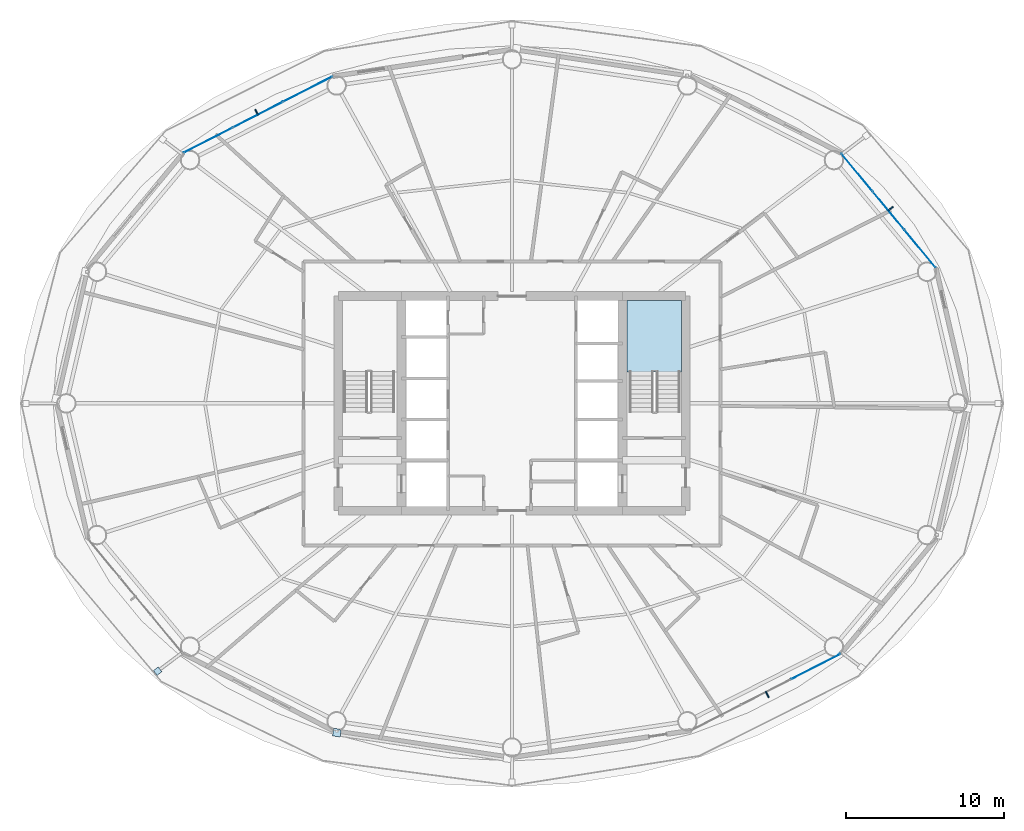
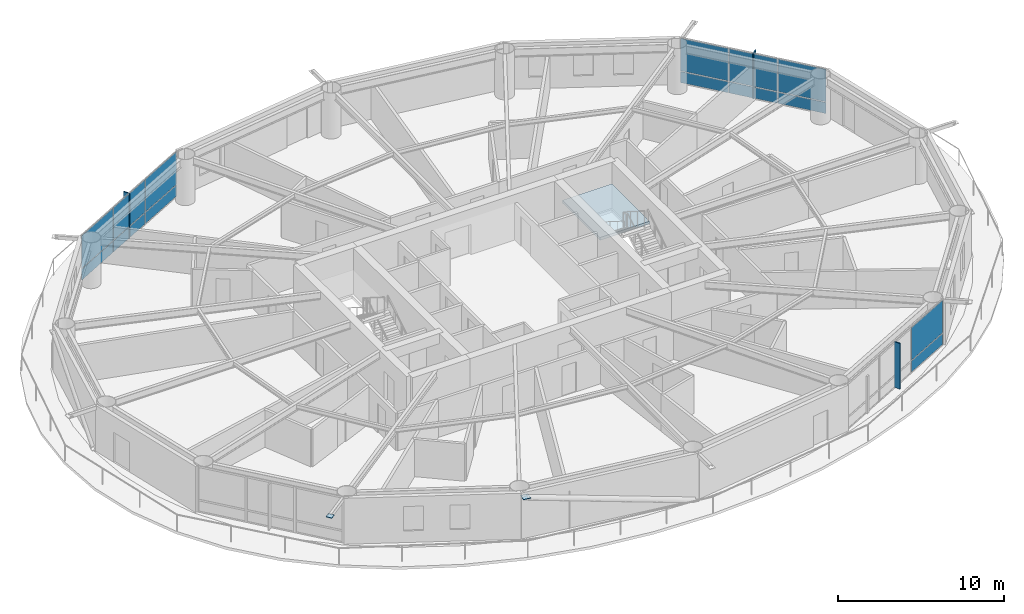
# One storey, part 16 of 24: 19 plates, 1 slab, 4 elements without a shape of their own.
"""IFC4 building model written with IfcOpenShell, lengths in metres."""

from ifc_helpers import new_model, si_unit, direction, frame, origin, origin_2d, place, context, subcontext, project, spatial, polyline, rectangle, outline, extrude, material, layer, layer_set, type_object, element, aggregate, save


model = new_model("IFC4")

# Units and contexts
model_context = context("Model", 3, precision=1e-05, world=origin(), true_north=direction((0.0, 1.0)))
body_context = subcontext(model_context, "Body", "Model", "MODEL_VIEW")
ifc_project = project(units=[si_unit("LENGTHUNIT", "METRE"), si_unit("AREAUNIT", "SQUARE_METRE"), si_unit("VOLUMEUNIT", "CUBIC_METRE"), si_unit("PLANEANGLEUNIT", "RADIAN"), si_unit("MASSUNIT", "GRAM", prefix="KILO")], contexts=[model_context])

# Site, building, storey
site_placement = place(None, origin())
site = spatial("IfcSite", under=ifc_project, at=site_placement, CompositionType="ELEMENT")
building_placement = place(site_placement, origin())
building = spatial("IfcBuilding", under=site, at=building_placement, Name="Sarneth Arch Tower", CompositionType="ELEMENT")
storey_placement = place(building_placement, frame((0.0, 0.0, 109.199951171875)))
storey = spatial("IfcBuildingStorey", under=building, at=storey_placement, Name="L27", CompositionType="ELEMENT", Elevation=109.199951171875)

# Curtain wall, plates
ifc_material_1 = material(Name="Anodised aluminium Type AA25 and solar-control low-e laminated IGU", Category="aluminium")
ifc_layer_1 = layer(ifc_material_1, 0.159912109375)
ifc_layer_set_1 = layer_set([ifc_layer_1], Name="Anodised aluminium Type AA25 and solar-control low-e laminated IGU")
curtain_wall_type = type_object("IfcCurtainWallType", Name="CW-HOTEL-MID", PredefinedType="NOTDEFINED", material=ifc_layer_set_1)
curtain_wall_1_placement = place(storey_placement, origin())
curtain_wall_1 = element("IfcCurtainWall", 1, at=curtain_wall_1_placement, inside=storey, type_object=curtain_wall_type, Name="L27 Unitised curtain wall facet 02", PredefinedType="NOTDEFINED")
ifc_material_2 = material(Name="Solar-control low-e laminated IGU", Category="glass")
ifc_layer_2 = layer(ifc_material_2, 0.028076171875)
ifc_layer_set_2 = layer_set([ifc_layer_2], Name="Solar-control low-e laminated IGU")
plate_type_1 = type_object("IfcPlateType", Name="CW-PANEL", PredefinedType="CURTAIN_PANEL", material=ifc_layer_set_2)
plate_1_placement = place(storey_placement, frame((73.84814453125, 51.807861328125, 0.06005859375), z_axis=(0.0, 0.0, 1.0), x_axis=(-0.637515188684, 0.770437787363, 0.0)))
plate_1 = element("IfcPlate", 2, at=plate_1_placement, type_object=plate_type_1, Name="Curtain wall glazed vision pane CW-L27-F02/P00-00", PredefinedType="CURTAIN_PANEL", context=body_context, shape_type="SweptSolid", body=[
    extrude(rectangle(XDim=3.058349609375, YDim=0.028076171875, at=origin_2d()), origin(), (0.0, 0.0, 1.0), 0.81005859375),
])
plate_2_placement = place(storey_placement, frame((73.84814453125, 51.807861328125, 0.93017578125), z_axis=(0.0, 0.0, 1.0), x_axis=(-0.637515188684, 0.770437787363, 0.0)))
plate_2 = element("IfcPlate", 3, at=plate_2_placement, type_object=plate_type_1, Name="Curtain wall glazed vision pane CW-L27-F02/P00-01", PredefinedType="CURTAIN_PANEL", context=body_context, shape_type="SweptSolid", body=[
    extrude(rectangle(XDim=3.058349609375, YDim=0.028076171875, at=origin_2d()), origin(), (0.0, 0.0, 1.0), 2.389892578125),
])
plate_3_placement = place(storey_placement, frame((71.8505859375, 54.221923828125, 0.06005859375), z_axis=(0.0, 0.0, 1.0), x_axis=(-0.637515188684, 0.770437787363, 0.0)))
plate_3 = element("IfcPlate", 4, at=plate_3_placement, type_object=plate_type_1, Name="Curtain wall glazed vision pane CW-L27-F02/P01-00", PredefinedType="CURTAIN_PANEL", context=body_context, shape_type="SweptSolid", body=[
    extrude(rectangle(XDim=3.08837890625, YDim=0.028076171875, at=origin_2d()), origin(), (0.0, 0.0, 1.0), 0.81005859375),
])
plate_4_placement = place(storey_placement, frame((71.8505859375, 54.221923828125, 0.93017578125), z_axis=(0.0, 0.0, 1.0), x_axis=(-0.637515188684, 0.770437787363, 0.0)))
plate_4 = element("IfcPlate", 5, at=plate_4_placement, type_object=plate_type_1, Name="Curtain wall glazed vision pane CW-L27-F02/P01-01", PredefinedType="CURTAIN_PANEL", context=body_context, shape_type="SweptSolid", body=[
    extrude(rectangle(XDim=3.08837890625, YDim=0.028076171875, at=origin_2d()), origin(), (0.0, 0.0, 1.0), 2.389892578125),
])
plate_5_placement = place(storey_placement, frame((69.85302734375, 56.635986328125, 0.06005859375), z_axis=(0.0, 0.0, 1.0), x_axis=(-0.637515188684, 0.770437787363, 0.0)))
plate_5 = element("IfcPlate", 6, at=plate_5_placement, type_object=plate_type_1, Name="Curtain wall glazed vision pane CW-L27-F02/P02-00", PredefinedType="CURTAIN_PANEL", context=body_context, shape_type="SweptSolid", body=[
    extrude(rectangle(XDim=3.058349609375, YDim=0.028076171875, at=origin_2d()), origin(), (0.0, 0.0, 1.0), 0.81005859375),
])
plate_6_placement = place(storey_placement, frame((69.85302734375, 56.635986328125, 0.93017578125), z_axis=(0.0, 0.0, 1.0), x_axis=(-0.637515188684, 0.770437787363, 0.0)))
plate_6 = element("IfcPlate", 7, at=plate_6_placement, type_object=plate_type_1, Name="Curtain wall glazed vision pane CW-L27-F02/P02-01", PredefinedType="CURTAIN_PANEL", context=body_context, shape_type="SweptSolid", body=[
    extrude(rectangle(XDim=3.058349609375, YDim=0.028076171875, at=origin_2d()), origin(), (0.0, 0.0, 1.0), 2.389892578125),
])
aggregate(curtain_wall_1, [plate_1, plate_2, plate_3, plate_4, plate_5, plate_6])

curtain_wall_2_placement = place(storey_placement, origin())
curtain_wall_2 = element("IfcCurtainWall", 8, at=curtain_wall_2_placement, inside=storey, type_object=curtain_wall_type, Name="L27 Unitised curtain wall facet 06", PredefinedType="NOTDEFINED")
plate_7_placement = place(storey_placement, frame((35.053955078125, 61.905517578125, 0.06005859375), z_axis=(0.0, 0.0, 1.0), x_axis=(-0.889963703649, -0.456031365356, 0.0)))
plate_7 = element("IfcPlate", 9, at=plate_7_placement, type_object=plate_type_1, Name="Curtain wall glazed vision pane CW-L27-F06/P00-00", PredefinedType="CURTAIN_PANEL", context=body_context, shape_type="SweptSolid", body=[
    extrude(rectangle(XDim=3.464111328125, YDim=0.028076171875, at=origin_2d()), origin(), (0.0, 0.0, 1.0), 0.81005859375),
])
plate_8_placement = place(storey_placement, frame((35.053955078125, 61.905517578125, 0.93017578125), z_axis=(0.0, 0.0, 1.0), x_axis=(-0.889963703649, -0.456031365356, 0.0)))
plate_8 = element("IfcPlate", 10, at=plate_8_placement, type_object=plate_type_1, Name="Curtain wall glazed vision pane CW-L27-F06/P00-01", PredefinedType="CURTAIN_PANEL", context=body_context, shape_type="SweptSolid", body=[
    extrude(rectangle(XDim=3.464111328125, YDim=0.028076171875, at=origin_2d()), origin(), (0.0, 0.0, 1.0), 2.389892578125),
])
plate_9_placement = place(storey_placement, frame((31.904296875, 60.29150390625, 0.06005859375), z_axis=(0.0, 0.0, 1.0), x_axis=(-0.889963703649, -0.456031365356, 0.0)))
plate_9 = element("IfcPlate", 11, at=plate_9_placement, type_object=plate_type_1, Name="Curtain wall glazed vision pane CW-L27-F06/P01-00", PredefinedType="CURTAIN_PANEL", context=body_context, shape_type="SweptSolid", body=[
    extrude(rectangle(XDim=3.493896484375, YDim=0.028076171875, at=origin_2d()), origin(), (0.0, 0.0, 1.0), 0.81005859375),
])
plate_10_placement = place(storey_placement, frame((31.904296875, 60.29150390625, 0.93017578125), z_axis=(0.0, 0.0, 1.0), x_axis=(-0.889963703649, -0.456031365356, 0.0)))
plate_10 = element("IfcPlate", 12, at=plate_10_placement, type_object=plate_type_1, Name="Curtain wall glazed vision pane CW-L27-F06/P01-01", PredefinedType="CURTAIN_PANEL", context=body_context, shape_type="SweptSolid", body=[
    extrude(rectangle(XDim=3.493896484375, YDim=0.028076171875, at=origin_2d()), origin(), (0.0, 0.0, 1.0), 2.389892578125),
])
plate_11_placement = place(storey_placement, frame((28.7548828125, 58.677734375, 0.06005859375), z_axis=(0.0, 0.0, 1.0), x_axis=(-0.889963703649, -0.456031365356, 0.0)))
plate_11 = element("IfcPlate", 13, at=plate_11_placement, type_object=plate_type_1, Name="Curtain wall glazed vision pane CW-L27-F06/P02-00", PredefinedType="CURTAIN_PANEL", context=body_context, shape_type="SweptSolid", body=[
    extrude(rectangle(XDim=3.464111328125, YDim=0.028076171875, at=origin_2d()), origin(), (0.0, 0.0, 1.0), 0.81005859375),
])
plate_12_placement = place(storey_placement, frame((28.7548828125, 58.677734375, 0.93017578125), z_axis=(0.0, 0.0, 1.0), x_axis=(-0.889963703649, -0.456031365356, 0.0)))
plate_12 = element("IfcPlate", 14, at=plate_12_placement, type_object=plate_type_1, Name="Curtain wall glazed vision pane CW-L27-F06/P02-01", PredefinedType="CURTAIN_PANEL", context=body_context, shape_type="SweptSolid", body=[
    extrude(rectangle(XDim=3.464111328125, YDim=0.028076171875, at=origin_2d()), origin(), (0.0, 0.0, 1.0), 2.389892578125),
])
aggregate(curtain_wall_2, [plate_7, plate_8, plate_9, plate_10, plate_11, plate_12])

curtain_wall_3_placement = place(storey_placement, origin())
curtain_wall_3 = element("IfcCurtainWall", 15, at=curtain_wall_3_placement, inside=storey, type_object=curtain_wall_type, Name="L27 Unitised curtain wall facet 14", PredefinedType="NOTDEFINED")
plate_13_placement = place(storey_placement, frame((67.2451171875, 25.322265625, 0.06005859375), z_axis=(0.0, 0.0, 1.0), x_axis=(0.889963703649, 0.456031365356, 0.0)))
plate_13 = element("IfcPlate", 16, at=plate_13_placement, type_object=plate_type_1, Name="Curtain wall glazed vision pane CW-L27-F14/P02-00", PredefinedType="CURTAIN_PANEL", context=body_context, shape_type="SweptSolid", body=[
    extrude(rectangle(XDim=3.464111328125, YDim=0.028076171875, at=origin_2d()), origin(), (0.0, 0.0, 1.0), 0.81005859375),
])
plate_14_placement = place(storey_placement, frame((67.2451171875, 25.322265625, 0.93017578125), z_axis=(0.0, 0.0, 1.0), x_axis=(0.889963703649, 0.456031365356, 0.0)))
plate_14 = element("IfcPlate", 17, at=plate_14_placement, type_object=plate_type_1, Name="Curtain wall glazed vision pane CW-L27-F14/P02-01", PredefinedType="CURTAIN_PANEL", context=body_context, shape_type="SweptSolid", body=[
    extrude(rectangle(XDim=3.464111328125, YDim=0.028076171875, at=origin_2d()), origin(), (0.0, 0.0, 1.0), 2.389892578125),
])
aggregate(curtain_wall_3, [plate_13, plate_14])

# Plates
ifc_material_3 = material(Name="Steel S355", Category="steel")
ifc_layer_3 = layer(ifc_material_3, 0.035888671875)
ifc_layer_set_3 = layer_set([ifc_layer_3], Name="Steel S355")
plate_type_2 = type_object("IfcPlateType", Name="PLT-GUSSET-30", PredefinedType="SHEET", material=ifc_layer_set_3)
plate_15_placement = place(storey_placement, frame((25.5498046875, 25.033935546875, 3.2021484375), z_axis=(0.0, 0.0, 1.0), x_axis=(-0.797794439539, -0.602929541689, 0.0)))
element("IfcPlate", 18, at=plate_15_placement, inside=storey, type_object=plate_type_2, Name="Steel end cap plate GP-1", PredefinedType="SHEET", context=body_context, shape_type="SweptSolid", body=[
    extrude(rectangle(XDim=0.3798828125, YDim=0.3798828125, at=origin_2d()), origin(), (0.0, 0.0, 1.0), 0.035888671875),
])
plate_16_placement = place(storey_placement, frame((36.9072265625, 21.140380859375, 2.9951171875), z_axis=(0.0, 0.0, 1.0), x_axis=(0.988860535448, -0.148845024885, 0.0)))
element("IfcPlate", 19, at=plate_16_placement, inside=storey, type_object=plate_type_2, Name="Steel end cap plate GP-1", PredefinedType="SHEET", context=body_context, shape_type="SweptSolid", body=[
    extrude(rectangle(XDim=0.486083984375, YDim=0.486083984375, at=origin_2d()), origin(), (0.0, 0.0, 1.0), 0.035888671875),
])
ifc_material_4 = material(Name="Extruded glazed terracotta baguette fin on Aluminium 6063-T6 carrier", Category="masonry")
ifc_layer_4 = layer(ifc_material_4, 0.080078125)
ifc_layer_set_4 = layer_set([ifc_layer_4], Name="Extruded glazed terracotta baguette fin on Aluminium 6063-T6 carrier")
plate_type_3 = type_object("IfcPlateType", Name="SHADE-TERRA-FIN", PredefinedType="SHEET", material=ifc_layer_set_4)
for number, where, z_axis, x_axis, name in (
    (20, (71.981689453125, 54.330322265625, 0.009765625), (0.0, 0.0, 1.0), (0.770401979567, 0.63755845997, 0.0), "L27 Terracotta vertical shading fin 02"),
    (21, (31.826904296875, 60.44287109375, 0.009765625), (0.0, 0.0, 1.0), (-0.456010959102, 0.889974159838, 0.0), "L27 Terracotta vertical shading fin 06"),
    (22, (64.173095703125, 23.55712890625, 0.009765625), (0.0, 0.0, 1.0), (0.456010959102, -0.889974159838, 0.0), "L27 Terracotta vertical shading fin 14"),
):
    element("IfcPlate", number, at=place(storey_placement, frame(where, z_axis=z_axis, x_axis=x_axis)), inside=storey, type_object=plate_type_3, Name=name, PredefinedType="SHEET", context=body_context, shape_type="SweptSolid", body=[
        extrude(rectangle(XDim=0.419921875, YDim=0.080078125, at=origin_2d()), origin(), (0.0, 0.0, 1.0), 3.360107421875),
    ])

# Stair, slab
ifc_material_5 = material(Name="Concrete C50/60", Category="concrete")
stair_type = type_object("IfcStairType", Name="STAIR-CORE-RC", PredefinedType="HALF_TURN_STAIR", material=ifc_material_5)
stair_placement = place(storey_placement, origin())
stair = element("IfcStair", 23, at=stair_placement, inside=storey, type_object=stair_type, Name="L27 Core Exit Stair 2", PredefinedType="HALF_TURN_STAIR")
ifc_material_6 = material(Name="Concrete C50/60", Category="concrete")
ifc_layer_5 = layer(ifc_material_6, 0.199951171875)
ifc_layer_set_5 = layer_set([ifc_layer_5], Name="Concrete C50/60")
slab_type = type_object("IfcSlabType", Name="SLAB-LANDING-200", PredefinedType="LANDING", material=ifc_layer_set_5)
slab_placement = place(storey_placement, frame((0.0, 0.0, 1.60009765625)))
slab = element("IfcSlab", 24, at=slab_placement, type_object=slab_type, Name="ST-2 landing 1", PredefinedType="LANDING", context=body_context, shape_type="SweptSolid", body=[
    extrude(outline(polyline([(55.27490234375, 43.985107421875), (58.72509765625, 43.985107421875), (58.72509765625, 48.52490234375), (55.27490234375, 48.52490234375), (55.27490234375, 43.985107421875)])), origin(), (0.0, 0.0, 1.0), 0.199951171875),
])
aggregate(stair, [slab])

save(model, "model.ifc")
